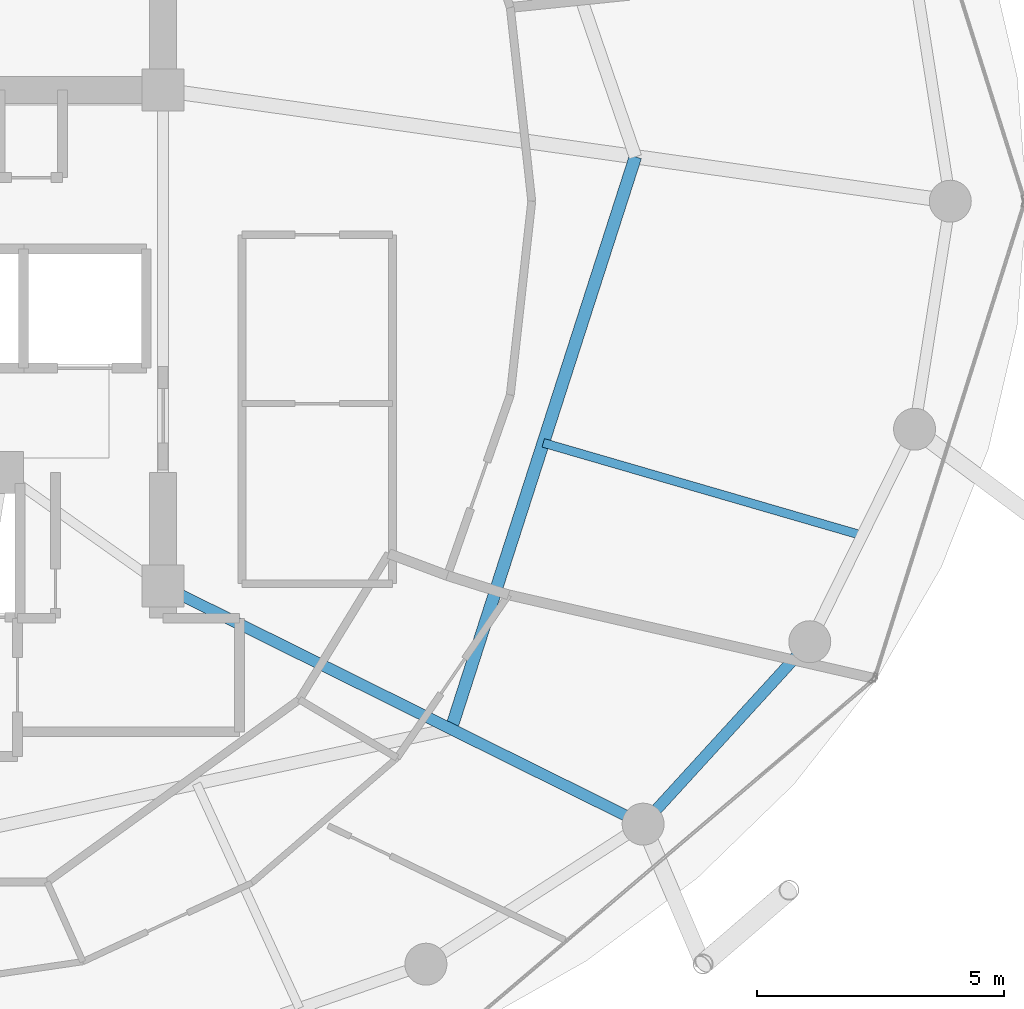
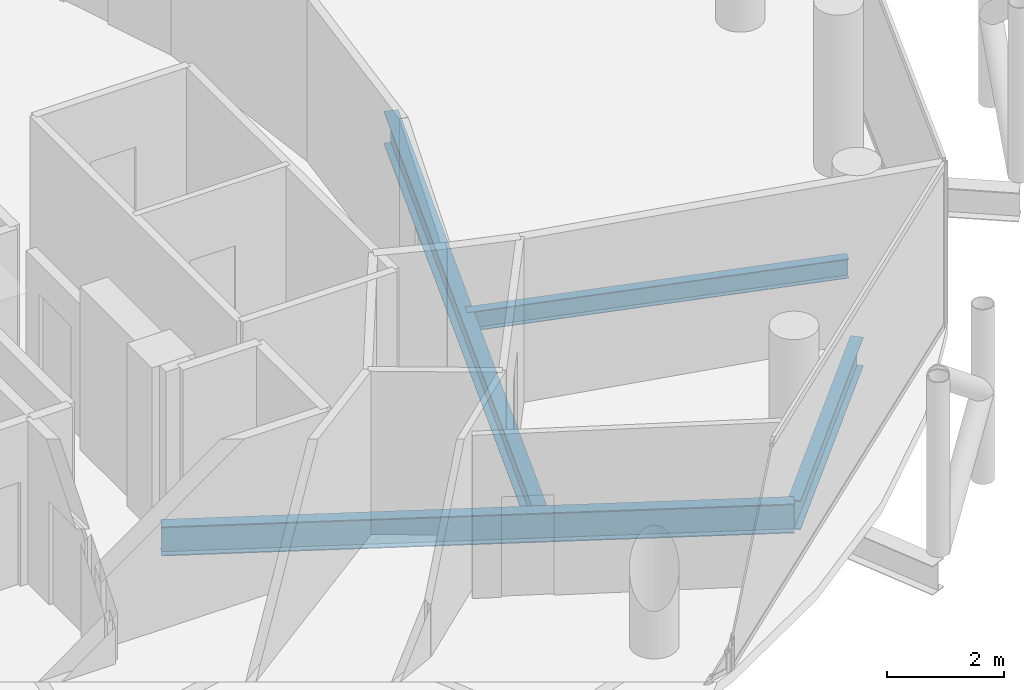
# One storey, part 12 of 27: 4 beams.
"""IFC4 building model written with IfcOpenShell, lengths in metres."""

from ifc_helpers import new_model, si_unit, direction, frame, origin, origin_2d, place, context, subcontext, project, spatial, i_section, extrude, material, material_profile, profile_set, type_object, element, save


model = new_model("IFC4")

# Units and contexts
model_context = context("Model", 3, precision=1e-05, world=origin(), true_north=direction((0.0, 1.0)))
body_context = subcontext(model_context, "Body", "Model", "MODEL_VIEW")
ifc_project = project(units=[si_unit("LENGTHUNIT", "METRE"), si_unit("AREAUNIT", "SQUARE_METRE"), si_unit("VOLUMEUNIT", "CUBIC_METRE"), si_unit("PLANEANGLEUNIT", "RADIAN"), si_unit("MASSUNIT", "GRAM", prefix="KILO")], contexts=[model_context])

# Site, building, storey
site_placement = place(None, origin())
site = spatial("IfcSite", under=ifc_project, at=site_placement, CompositionType="ELEMENT")
building_placement = place(site_placement, origin())
building = spatial("IfcBuilding", under=site, at=building_placement, Name="Nuhasar Tower", CompositionType="ELEMENT")
storey_placement = place(building_placement, frame((0.0, 0.0, 215.449951171875)))
storey = spatial("IfcBuildingStorey", under=building, at=storey_placement, Name="L52", CompositionType="ELEMENT", Elevation=215.449951171875)

# Beams
ifc_material = material(Name="Steel S355", Category="steel")
ifc_material_profile_1 = material_profile(ifc_material, i_section(OverallWidth=0.25390625, OverallDepth=0.68408203125, WebThickness=0.012451171875, FlangeThickness=0.018798828125, at=origin_2d()), Name="W27X94")
ifc_profile_set_1 = profile_set([ifc_material_profile_1], Name="Steel S355")
beam_type_1 = type_object("IfcBeamType", Name="BM-INRING-W27X94", PredefinedType="BEAM", material=ifc_profile_set_1)
beam_1_placement = place(storey_placement, frame((50.135986328125, 16.10693359375, -0.58203125), z_axis=(0.306589852134, 0.951841721385, 0.0), x_axis=(-0.951841721385, 0.306589852134, 0.0)))
element("IfcBeam", 1, at=beam_1_placement, inside=storey, type_object=beam_type_1, Name="L52 Inner Header Beam 03", PredefinedType="BEAM", context=body_context, shape_type="SweptSolid", body=[
    extrude(i_section(OverallWidth=0.25390625, OverallDepth=0.68408203125, WebThickness=0.012451171875, FlangeThickness=0.018798828125, at=origin_2d()), origin(), (0.0, 0.0, 1.0), 12.179443359375),
])
ifc_material_profile_2 = material_profile(ifc_material, i_section(OverallWidth=0.177978515625, OverallDepth=0.406005859375, WebThickness=0.0078125, FlangeThickness=0.0126953125, at=origin_2d()), Name="W16X40")
ifc_profile_set_2 = profile_set([ifc_material_profile_2], Name="Steel S355")
beam_type_2 = type_object("IfcBeamType", Name="BM-JST-W16X40", PredefinedType="JOIST", material=ifc_profile_set_2)
beam_2_placement = place(storey_placement, frame((52.0029296875, 21.904052734375, -0.44287109375), z_axis=(0.960312689798, -0.27892568511, 0.0), x_axis=(0.27892568511, 0.960312689798, 0.0)))
element("IfcBeam", 2, at=beam_2_placement, inside=storey, type_object=beam_type_2, Name="L52 Secondary Floor Joist 03", PredefinedType="JOIST", context=body_context, shape_type="SweptSolid", body=[
    extrude(i_section(OverallWidth=0.177978515625, OverallDepth=0.406005859375, WebThickness=0.0078125, FlangeThickness=0.0126953125, at=origin_2d()), origin(), (0.0, 0.0, 1.0), 6.729248046875),
])
ifc_material_profile_3 = material_profile(ifc_material, i_section(OverallWidth=0.22900390625, OverallDepth=0.612060546875, WebThickness=0.011962890625, FlangeThickness=0.01953125, at=origin_2d()), Name="W24X84")
ifc_profile_set_3 = profile_set([ifc_material_profile_3], Name="Steel S355")
beam_type_3 = type_object("IfcBeamType", Name="BM-RAD-W24X84", PredefinedType="BEAM", material=ifc_profile_set_3)
beam_3_placement = place(storey_placement, frame((44.300048828125, 19.0, -0.5458984375), z_axis=(0.895928935233, -0.444197414459, 0.0), x_axis=(0.444197414459, 0.895928935233, 0.0)))
element("IfcBeam", 3, at=beam_3_placement, inside=storey, type_object=beam_type_3, Name="L52 Radial Floor Girder 03", PredefinedType="BEAM", context=body_context, shape_type="SweptSolid", body=[
    extrude(i_section(OverallWidth=0.22900390625, OverallDepth=0.612060546875, WebThickness=0.011962890625, FlangeThickness=0.01953125, at=origin_2d()), origin(), (0.0, 0.0, 1.0), 10.85546875),
])
ifc_material_profile_4 = material_profile(ifc_material, i_section(OverallWidth=0.22802734375, OverallDepth=0.60791015625, WebThickness=0.01123046875, FlangeThickness=0.017333984375, at=origin_2d()), Name="W24X76")
ifc_profile_set_4 = profile_set([ifc_material_profile_4], Name="Steel S355")
beam_type_4 = type_object("IfcBeamType", Name="BM-RING-W24X76", PredefinedType="SPANDREL", material=ifc_profile_set_4)
beam_4_placement = place(storey_placement, frame((54.02587890625, 14.177978515625, -0.5439453125), z_axis=(0.674449692975, 0.738320805373, 0.0), x_axis=(-0.738320805373, 0.674449692975, 0.0)))
element("IfcBeam", 4, at=beam_4_placement, inside=storey, type_object=beam_type_4, Name="L52 Perimeter Ring Spandrel 22", PredefinedType="SPANDREL", context=body_context, shape_type="SweptSolid", body=[
    extrude(i_section(OverallWidth=0.22802734375, OverallDepth=0.60791015625, WebThickness=0.01123046875, FlangeThickness=0.017333984375, at=origin_2d()), origin(), (0.0, 0.0, 1.0), 5.00732421875),
])

save(model, "model.ifc")
